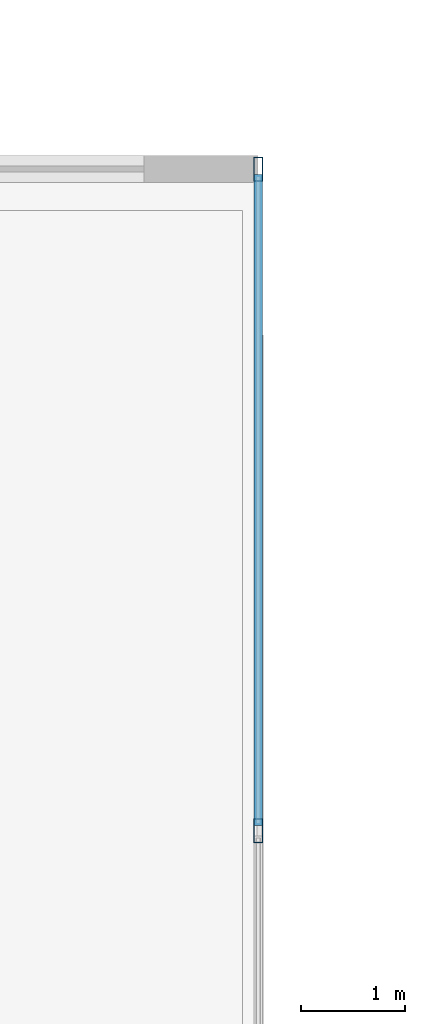
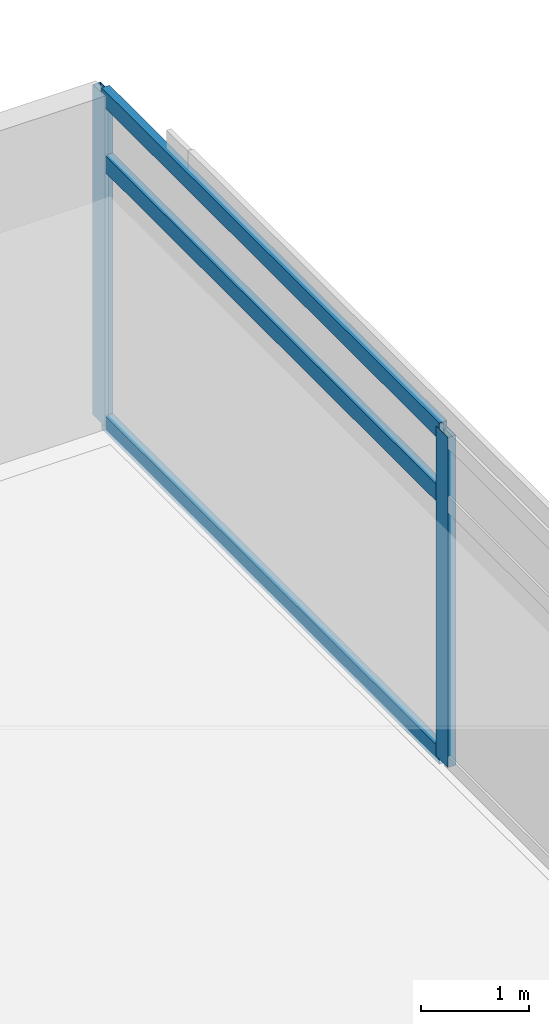
# One storey, part 11 of 18: 5 members, 1 element without a shape of its own.
"""IFC4 building model written with IfcOpenShell, lengths in metres."""

from ifc_helpers import new_model, si_unit, direction, frame, origin, origin_2d, place, context, subcontext, project, spatial, hollow_rectangle, extrude, material, material_profile, profile_set, type_object, element, aggregate, save


model = new_model("IFC4")

# Units and contexts
model_context = context("Model", 3, precision=1e-05, world=origin(), true_north=direction((0.0, 1.0)))
body_context = subcontext(model_context, "Body", "Model", "MODEL_VIEW")
ifc_project = project(units=[si_unit("LENGTHUNIT", "METRE"), si_unit("AREAUNIT", "SQUARE_METRE"), si_unit("VOLUMEUNIT", "CUBIC_METRE"), si_unit("PLANEANGLEUNIT", "RADIAN"), si_unit("MASSUNIT", "GRAM", prefix="KILO")], contexts=[model_context])

# Site, building, storey
site_placement = place(None, origin())
site = spatial("IfcSite", under=ifc_project, at=site_placement, CompositionType="ELEMENT")
building_placement = place(site_placement, origin())
building = spatial("IfcBuilding", under=site, at=building_placement, Name="Kovane Verandah Tower", CompositionType="ELEMENT")
storey_placement = place(building_placement, frame((0.0, 0.0, 251.199951171875)))
storey = spatial("IfcBuildingStorey", under=building, at=storey_placement, Name="L58", CompositionType="ELEMENT", Elevation=251.199951171875)

# Curtain wall, members
ifc_material_1 = material(Name="Champagne Anodised Aluminium Frame with Low-E Clear Laminated Glass", Category="aluminium")
curtain_wall_type = type_object("IfcCurtainWallType", Name="CW-SYS-05-HIGH", PredefinedType="NOTDEFINED", material=ifc_material_1)
curtain_wall_placement = place(storey_placement, origin())
curtain_wall = element("IfcCurtainWall", 1, at=curtain_wall_placement, inside=storey, type_object=curtain_wall_type, Name="L58 E Unitised Curtain Wall", PredefinedType="NOTDEFINED")
ifc_material_2 = material(Name="Champagne Anodised Aluminium 6063-T6", Category="aluminium")
ifc_material_profile_1 = material_profile(ifc_material_2, hollow_rectangle(XDim=0.0849609375, YDim=0.22998046875, WallThickness=0.00390625, at=origin_2d()), Name="AL85x230x4")
ifc_profile_set_1 = profile_set([ifc_material_profile_1], Name="Champagne Anodised Aluminium 6063-T6")
member_type_1 = type_object("IfcMemberType", Name="CW-MUL-85x230", PredefinedType="MULLION", material=ifc_profile_set_1)
member_1_placement = place(storey_placement, frame((66.396240234375, 40.25830078125, 0.02001953125), z_axis=(0.0, 0.0, 1.0), x_axis=(1.0, 0.0, 0.0)))
member_1 = element("IfcMember", 2, at=member_1_placement, type_object=member_type_1, Name="L58 E Unitised Curtain Wall Mullion 6", PredefinedType="MULLION", context=body_context, shape_type="SweptSolid", body=[
    extrude(hollow_rectangle(XDim=0.0849609375, YDim=0.22998046875, WallThickness=0.00390625, at=origin_2d()), origin(), (0.0, 0.0, 1.0), 3.7451171875),
])
member_2_placement = place(storey_placement, frame((66.396240234375, 46.6376953125, 0.02001953125), z_axis=(0.0, 0.0, 1.0), x_axis=(1.0, 0.0, 0.0)))
member_2 = element("IfcMember", 3, at=member_2_placement, type_object=member_type_1, Name="L58 E Unitised Curtain Wall Mullion 7", PredefinedType="MULLION", context=body_context, shape_type="SweptSolid", body=[
    extrude(hollow_rectangle(XDim=0.0849609375, YDim=0.22998046875, WallThickness=0.00390625, at=origin_2d()), origin(), (0.0, 0.0, 1.0), 3.7451171875),
])
ifc_material_profile_2 = material_profile(ifc_material_2, hollow_rectangle(XDim=0.0849609375, YDim=0.18994140625, WallThickness=0.00390625, at=origin_2d()), Name="AL85x190x4")
ifc_profile_set_2 = profile_set([ifc_material_profile_2], Name="Champagne Anodised Aluminium 6063-T6")
member_type_2 = type_object("IfcMemberType", Name="CW-TRN-85x190", PredefinedType="USERDEFINED", material=ifc_profile_set_2)
member_3_placement = place(storey_placement, frame((66.396240234375, 40.308349609375, 0.050048828125), z_axis=(0.0, 1.0, 0.0), x_axis=(-1.0, 0.0, 0.0)))
member_3 = element("IfcMember", 4, at=member_3_placement, type_object=member_type_2, Name="L58 E Unitised Curtain Wall Transom TB Bay 6", ObjectType="TRANSOM", PredefinedType="USERDEFINED", context=body_context, shape_type="SweptSolid", body=[
    extrude(hollow_rectangle(XDim=0.0849609375, YDim=0.18994140625, WallThickness=0.00390625, at=origin_2d()), origin(), (0.0, 0.0, 1.0), 6.279296875),
])
member_4_placement = place(storey_placement, frame((66.396240234375, 40.308349609375, 3.005126953125), z_axis=(0.0, 1.0, 0.0), x_axis=(-1.0, 0.0, 0.0)))
member_4 = element("IfcMember", 5, at=member_4_placement, type_object=member_type_2, Name="L58 E Unitised Curtain Wall Transom TM Bay 6", ObjectType="TRANSOM", PredefinedType="USERDEFINED", context=body_context, shape_type="SweptSolid", body=[
    extrude(hollow_rectangle(XDim=0.0849609375, YDim=0.18994140625, WallThickness=0.00390625, at=origin_2d()), origin(), (0.0, 0.0, 1.0), 6.279296875),
])
member_5_placement = place(storey_placement, frame((66.396240234375, 40.308349609375, 3.735107421875), z_axis=(0.0, 1.0, 0.0), x_axis=(-1.0, 0.0, 0.0)))
member_5 = element("IfcMember", 6, at=member_5_placement, type_object=member_type_2, Name="L58 E Unitised Curtain Wall Transom TT Bay 6", ObjectType="TRANSOM", PredefinedType="USERDEFINED", context=body_context, shape_type="SweptSolid", body=[
    extrude(hollow_rectangle(XDim=0.0849609375, YDim=0.18994140625, WallThickness=0.00390625, at=origin_2d()), origin(), (0.0, 0.0, 1.0), 6.279296875),
])
aggregate(curtain_wall, [member_1, member_2, member_3, member_4, member_5])

save(model, "model.ifc")
